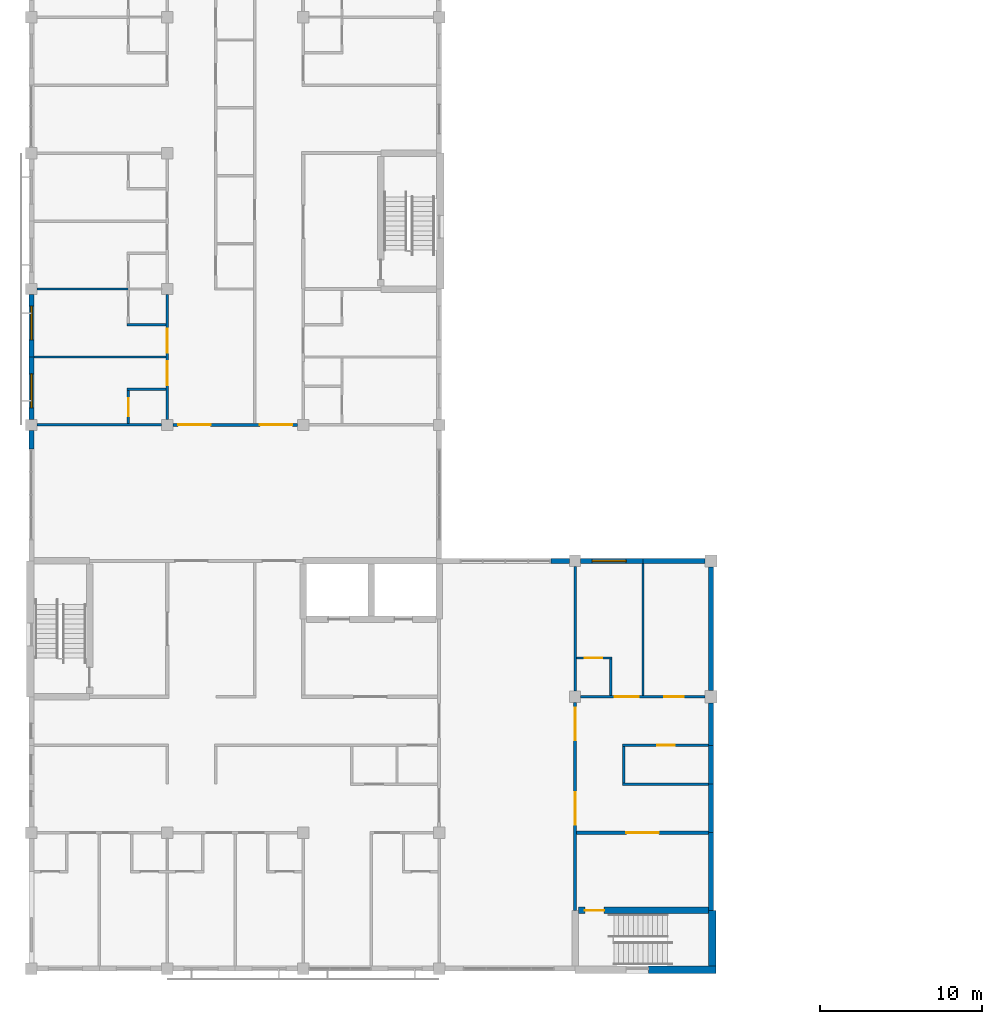
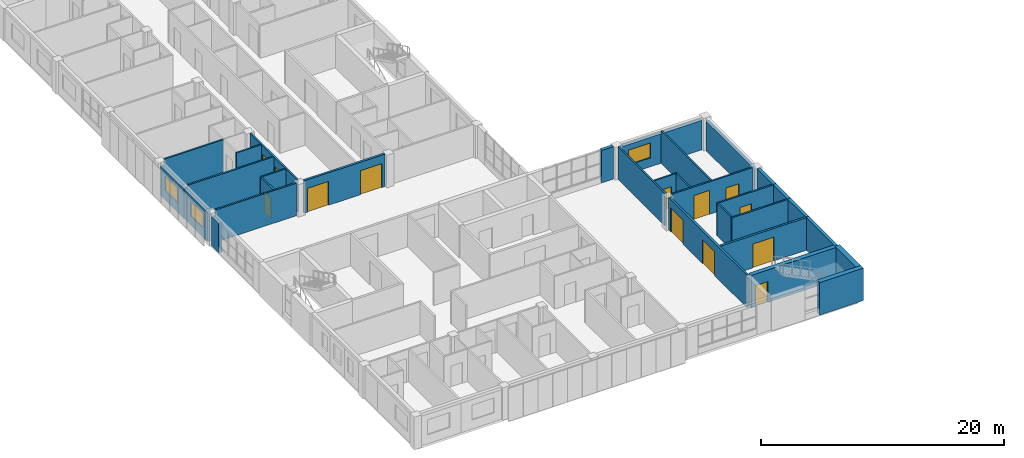
# One storey, part 26 of 46: 32 walls, 13 doors, 3 windows, 16 openings.
"""IFC4 building model written with IfcOpenShell, lengths in metres."""

import ifcopenshell
import ifcopenshell.guid

model = None  # the IFC model being written
_history = None  # IfcOwnerHistory: only IFC2X3 demands one
_inside = {}  # id of a spatial element -> (the spatial element, [elements in it])
_under = {}  # id of a project, library or spatial element -> (it, [spatial elements below it])
_declared = {}  # id of a project -> (the project, [libraries it declares])
_typed = {}  # id of a type object -> (the type object, [elements of that type])
_made_of = {}  # id of a material, layer set ... -> (it, [elements and type objects made of it])


def new_model(schema):
    """Start an empty IFC model of exactly this schema.

    Asked for "IFC4X3", IfcOpenShell would pick the latest addendum, in which some entities
    have other attributes; the version numbers below select the first issue.
    IFC2X3 requires an IfcOwnerHistory on every rooted entity: one is made here for all.
    """
    global model, _history
    if schema == "IFC4X3":
        model = ifcopenshell.file(schema_version=(4, 3, 0, 0))
    else:
        model = ifcopenshell.file(schema=schema)
    _inside.clear()
    _under.clear()
    _declared.clear()
    _typed.clear()
    _made_of.clear()
    _history = None
    if model.schema == "IFC2X3":
        org = make("IfcOrganization", Name="unknown")
        user = make(
            "IfcPersonAndOrganization",
            ThePerson=make("IfcPerson", FamilyName="unknown"),
            TheOrganization=org,
        )
        app = make(
            "IfcApplication",
            ApplicationDeveloper=org,
            Version="unknown",
            ApplicationFullName="unknown",
            ApplicationIdentifier="unknown",
        )
        _history = make(
            "IfcOwnerHistory",
            OwningUser=user,
            OwningApplication=app,
            ChangeAction="ADDED",
            CreationDate=0,
        )
    return model


def make(cls, **values):
    """One entity of the class cls with the attributes given. An attribute that is None is left unset."""
    return model.create_entity(
        cls, **{name: value for name, value in values.items() if value is not None}
    )


def rooted(cls, **values):
    """An entity with a GlobalId (a new one), such as an element, a storey or a relation."""
    return make(cls, GlobalId=ifcopenshell.guid.new(), OwnerHistory=_history, **values)


def si_unit(unit_type, name, prefix=None):
    """IfcSIUnit, for example si_unit("LENGTHUNIT", "METRE", prefix="MILLI")."""
    return make("IfcSIUnit", UnitType=unit_type, Prefix=prefix, Name=name)


def assignment(units):
    """IfcUnitAssignment: the units of a project."""
    return None if units is None else make("IfcUnitAssignment", Units=units)


def point(xyz):
    """IfcCartesianPoint."""
    return None if xyz is None else make("IfcCartesianPoint", Coordinates=xyz)


def direction(xyz):
    """IfcDirection."""
    return None if xyz is None else make("IfcDirection", DirectionRatios=xyz)


def frame(location, z_axis=None, x_axis=None):
    """IfcAxis2Placement3D, a coordinate frame: its origin and axes. An axis left out is left unset."""
    return make(
        "IfcAxis2Placement3D",
        Location=point(location),
        Axis=direction(z_axis),
        RefDirection=direction(x_axis),
    )


def frame_2d(location, x_axis=None):
    """IfcAxis2Placement2D, a coordinate frame in the plane: its origin and x axis."""
    return make(
        "IfcAxis2Placement2D", Location=point(location), RefDirection=direction(x_axis)
    )


def origin():
    """The frame at (0, 0, 0) with its axes left unset."""
    return frame((0.0, 0.0, 0.0))


def place(relative_to, where):
    """IfcLocalPlacement: puts the frame where relative to a parent placement (None: the world)."""
    return make(
        "IfcLocalPlacement", PlacementRelTo=relative_to, RelativePlacement=where
    )


def context(
    kind, dimensions, precision=None, world=None, true_north=None, identifier=None
):
    """IfcGeometricRepresentationContext, for example the 3D "Model" context."""
    return make(
        "IfcGeometricRepresentationContext",
        ContextIdentifier=identifier,
        ContextType=kind,
        CoordinateSpaceDimension=dimensions,
        Precision=precision,
        WorldCoordinateSystem=world,
        TrueNorth=true_north,
    )


def subcontext(parent, identifier, kind, view, scale=None):
    """IfcGeometricRepresentationSubContext, for example "Body" below "Model"."""
    return make(
        "IfcGeometricRepresentationSubContext",
        ContextIdentifier=identifier,
        ContextType=kind,
        ParentContext=parent,
        TargetScale=scale,
        TargetView=view,
    )


def project(units=None, contexts=None):
    """IfcProject with its units and contexts."""
    return rooted(
        "IfcProject",
        Name="project",
        RepresentationContexts=contexts,
        UnitsInContext=assignment(units),
    )


def spatial(cls, under=None, at=None, **own):
    """A site, building, storey or space (cls), placed at a placement, below another one or the project."""
    s = rooted(cls, ObjectPlacement=at, **own)
    if under is not None:
        _under.setdefault(under.id(), (under, []))[1].append(s)
    return s


def profile(cls, at=None, kind="AREA", **sizes):
    """A parametric profile (cls). Its sizes go by their IFC names, for example OverallWidth=200.0."""
    return make(cls, ProfileType=kind, Position=at, **sizes)


def rectangle(**sizes):
    """IfcRectangleProfileDef."""
    return profile("IfcRectangleProfileDef", **sizes)


def extrude(swept, where, along, depth):
    """IfcExtrudedAreaSolid: the profile swept, set in the frame where, extruded along a direction by depth."""
    return make(
        "IfcExtrudedAreaSolid",
        SweptArea=swept,
        Position=where,
        ExtrudedDirection=direction(along),
        Depth=depth,
    )


def shape(context_of_items, identifier, shape_type, items):
    """IfcShapeRepresentation: the items that make up one representation, for example the "Body"."""
    return make(
        "IfcShapeRepresentation",
        ContextOfItems=context_of_items,
        RepresentationIdentifier=identifier,
        RepresentationType=shape_type,
        Items=items,
    )


def material(Name=None, Category=None):
    """IfcMaterial."""
    return make("IfcMaterial", Name=Name, Category=Category)


def layer(
    of_material, thickness, ventilated=None, Name=None, Category=None, Priority=None
):
    """IfcMaterialLayer: one layer of a wall or slab, of a material (None: an air gap)."""
    return make(
        "IfcMaterialLayer",
        Material=of_material,
        LayerThickness=thickness,
        IsVentilated=ventilated,
        Name=Name,
        Category=Category,
        Priority=Priority,
    )


def layer_set(layers, Name=None):
    """IfcMaterialLayerSet."""
    return make("IfcMaterialLayerSet", MaterialLayers=layers, LayerSetName=Name)


def made_of(thing, what):
    """Note that an element or type object is made of a material, layer set ...; save() writes the relation."""
    if what is not None:
        _made_of.setdefault(what.id(), (what, []))[1].append(thing)
    return thing


def type_object(cls, material=None, **own):
    """A type object (cls), such as IfcWallType, which elements share."""
    return made_of(rooted(cls, **own), material)


def element(
    cls,
    number,
    at=None,
    inside=None,
    cuts=None,
    type_object=None,
    material=None,
    context=None,
    identifier="Body",
    shape_type=None,
    held_by="IfcProductDefinitionShape",
    body=None,
    shapes=None,
    **own,
):
    """One element of the class cls, such as IfcWall. Its Tag is "e" and its number.

    at: its placement. inside: the storey or other place that contains it. cuts: it is an
    opening in that element (IfcRelVoidsElement). A single representation is given by context,
    identifier, shape_type and body (its items); several are given by shapes. held_by: the class
    of the entity that holds the representations. save() writes the other relations.
    """
    e = rooted(cls, Tag="e%d" % number, ObjectPlacement=at, **own)
    if body is not None:
        shapes = [shape(context, identifier, shape_type, body)]
    if shapes is not None:
        e.Representation = make(held_by, Representations=shapes)
    if inside is not None:
        _inside.setdefault(inside.id(), (inside, []))[1].append(e)
    if cuts is not None:
        rooted(
            "IfcRelVoidsElement", RelatingBuildingElement=cuts, RelatedOpeningElement=e
        )
    if type_object is not None:
        _typed.setdefault(type_object.id(), (type_object, []))[1].append(e)
    return made_of(e, material)


def fill(opening, filler):
    """IfcRelFillsElement: the door or window that sits in an opening."""
    return rooted(
        "IfcRelFillsElement",
        RelatingOpeningElement=opening,
        RelatedBuildingElement=filler,
    )


def aggregate(whole, parts):
    """IfcRelAggregates: a whole, such as a stair, and the parts it consists of."""
    return rooted("IfcRelAggregates", RelatingObject=whole, RelatedObjects=parts)


def save(model, path):
    """Write the relations noted so far, then the file.

    IfcRelAggregates (storeys below a building ...), IfcRelContainedInSpatialStructure (elements
    in a storey), IfcRelDefinesByType, IfcRelAssociatesMaterial and IfcRelDeclares: one each for
    every whole, place, type object, material and project.
    """
    for whole, parts in _under.values():
        aggregate(whole, parts)
    for where, things in _inside.values():
        rooted(
            "IfcRelContainedInSpatialStructure",
            RelatedElements=things,
            RelatingStructure=where,
        )
    for kind, things in _typed.values():
        rooted("IfcRelDefinesByType", RelatedObjects=things, RelatingType=kind)
    for what, things in _made_of.values():
        rooted("IfcRelAssociatesMaterial", RelatedObjects=things, RelatingMaterial=what)
    for by, libraries in _declared.values():
        rooted("IfcRelDeclares", RelatingContext=by, RelatedDefinitions=libraries)
    model.write(path)


model = new_model("IFC4")

# Units and contexts
model_context = context("Model", 3, precision=1e-05, world=origin(), true_north=direction((0.0, 1.0)))
body_context = subcontext(model_context, "Body", "Model", "MODEL_VIEW")
ifc_project = project(units=[si_unit("LENGTHUNIT", "METRE"), si_unit("AREAUNIT", "SQUARE_METRE"), si_unit("VOLUMEUNIT", "CUBIC_METRE"), si_unit("PLANEANGLEUNIT", "RADIAN"), si_unit("MASSUNIT", "GRAM", prefix="KILO")], contexts=[model_context])

# Site, building, storey
site_placement = place(None, origin())
site = spatial("IfcSite", under=ifc_project, at=site_placement, CompositionType="ELEMENT")
building_placement = place(site_placement, origin())
building = spatial("IfcBuilding", under=site, at=building_placement, Name="Yavir Park General Hospital", CompositionType="ELEMENT")
storey_placement = place(building_placement, frame((0.0, 0.0, 18.89990234375)))
storey = spatial("IfcBuildingStorey", under=building, at=storey_placement, Name="L04", CompositionType="ELEMENT", Elevation=18.89990234375)

# Wall, opening, door
ifc_material_1 = material(Name="Double gypsum board fire partition on steel studs", Category="steel")
ifc_layer_1 = layer(ifc_material_1, 0.199951171875)
ifc_layer_set_1 = layer_set([ifc_layer_1], Name="Double gypsum board fire partition on steel studs")
wall_type_1 = type_object("IfcWallType", Name="Fire-rated partition 200, EI 60", PredefinedType="PARTITIONING", material=ifc_layer_set_1)
wall_1_placement = place(storey_placement, frame((33.699951171875, 8.39990234375, 0.0), z_axis=(0.0, 0.0, 1.0), x_axis=(1.0, 0.0, 0.0)))
wall_1 = element("IfcWall", 1, at=wall_1_placement, inside=storey, type_object=wall_type_1, Name="FP20 L04-017", PredefinedType="PARTITIONING", context=body_context, shape_type="SweptSolid", body=[
    extrude(rectangle(XDim=8.150146484375, YDim=0.199951171875, at=frame_2d((4.0751953125, 0.0))), origin(), (0.0, 0.0, 1.0), 3.260009765625),
])
opening_1_placement = place(wall_1_placement, frame((3.074951171875, 0.0, 0.0)))
opening_1 = element("IfcOpeningElement", 2, at=opening_1_placement, cuts=wall_1, Name="Opening L04.D022", PredefinedType="OPENING", context=body_context, shape_type="SweptSolid", body=[
    extrude(rectangle(XDim=2.0, YDim=2.39990234375, at=frame_2d((1.0, 1.199951171875))), frame((0.0, 0.10986328125, 0.0), z_axis=(0.0, -1.0, 0.0), x_axis=(1.0, 0.0, 0.0)), (0.0, 0.0, 1.0), 0.219970703125),
])
ifc_material_2 = material(Name="Steel frame, fire-resisting leaves with vision panels", Category="steel")
door_type_1 = type_object("IfcDoorType", Name="Double fire door with vision panels 2000 x 2400, EI 60", OperationType="DOUBLE_DOOR_SINGLE_SWING", PredefinedType="DOOR", material=ifc_material_2)
door_1_placement = place(opening_1_placement, origin())
door_1 = element("IfcDoor", 3, at=door_1_placement, inside=storey, type_object=door_type_1, Name="L04.D022", OperationType="SINGLE_SWING_RIGHT", OverallHeight=2.39990234375, OverallWidth=2.0, PredefinedType="DOOR", context=body_context, shape_type="SweptSolid", body=[
    extrude(rectangle(XDim=2.0, YDim=2.39990234375, at=frame_2d((1.0, 1.199951171875))), frame((0.0, 0.030029296875, 0.0), z_axis=(0.0, -1.0, 0.0), x_axis=(1.0, 0.0, 0.0)), (0.0, 0.0, 1.0), 0.06005859375),
])
fill(opening_1, door_1)

# Wall, openings, doors
wall_2_placement = place(storey_placement, frame((8.75, 33.60009765625, 0.0), z_axis=(0.0, 0.0, 1.0), x_axis=(1.0, 0.0, 0.0)))
wall_2 = element("IfcWall", 4, at=wall_2_placement, inside=storey, type_object=wall_type_1, Name="FP20 L04-057", PredefinedType="PARTITIONING", context=body_context, shape_type="SweptSolid", body=[
    extrude(rectangle(XDim=7.699951171875, YDim=0.199951171875, at=frame_2d((3.85009765625, 0.0))), origin(), (0.0, 0.0, 1.0), 3.260009765625),
])
opening_2_placement = place(wall_2_placement, frame((0.324951171875, 0.0, 0.0)))
opening_2 = element("IfcOpeningElement", 5, at=opening_2_placement, cuts=wall_2, Name="Opening L04.D063", PredefinedType="OPENING", context=body_context, shape_type="SweptSolid", body=[
    extrude(rectangle(XDim=2.0, YDim=2.39990234375, at=frame_2d((1.0, 1.199951171875))), frame((0.0, 0.10986328125, 0.0), z_axis=(0.0, -1.0, 0.0), x_axis=(1.0, 0.0, 0.0)), (0.0, 0.0, 1.0), 0.219970703125),
])
opening_3_placement = place(wall_2_placement, frame((5.375, 0.0, 0.0)))
opening_3 = element("IfcOpeningElement", 6, at=opening_3_placement, cuts=wall_2, Name="Opening L04.D064", PredefinedType="OPENING", context=body_context, shape_type="SweptSolid", body=[
    extrude(rectangle(XDim=2.0, YDim=2.39990234375, at=frame_2d((1.0, 1.199951171875))), frame((0.0, 0.10986328125, 0.0), z_axis=(0.0, -1.0, 0.0), x_axis=(1.0, 0.0, 0.0)), (0.0, 0.0, 1.0), 0.219970703125),
])
door_2_placement = place(opening_2_placement, origin())
door_2 = element("IfcDoor", 7, at=door_2_placement, inside=storey, type_object=door_type_1, Name="L04.D063", OperationType="SINGLE_SWING_LEFT", OverallHeight=2.39990234375, OverallWidth=2.0, PredefinedType="DOOR", context=body_context, shape_type="SweptSolid", body=[
    extrude(rectangle(XDim=2.0, YDim=2.39990234375, at=frame_2d((1.0, 1.199951171875))), frame((0.0, 0.030029296875, 0.0), z_axis=(0.0, -1.0, 0.0), x_axis=(1.0, 0.0, 0.0)), (0.0, 0.0, 1.0), 0.06005859375),
])
fill(opening_2, door_2)
door_3_placement = place(opening_3_placement, origin())
door_3 = element("IfcDoor", 8, at=door_3_placement, inside=storey, type_object=door_type_1, Name="L04.D064", OperationType="SINGLE_SWING_RIGHT", OverallHeight=2.39990234375, OverallWidth=2.0, PredefinedType="DOOR", context=body_context, shape_type="SweptSolid", body=[
    extrude(rectangle(XDim=2.0, YDim=2.39990234375, at=frame_2d((1.0, 1.199951171875))), frame((0.0, 0.030029296875, 0.0), z_axis=(0.0, -1.0, 0.0), x_axis=(1.0, 0.0, 0.0)), (0.0, 0.0, 1.0), 0.06005859375),
])
fill(opening_3, door_3)

wall_3_placement = place(storey_placement, frame((33.60009765625, 3.60009765625, 0.0), z_axis=(0.0, 0.0, 1.0), x_axis=(0.0, 1.0, 0.0)))
wall_3 = element("IfcWall", 9, at=wall_3_placement, inside=storey, type_object=wall_type_1, Name="FP20 L04-220", PredefinedType="PARTITIONING", context=body_context, shape_type="SweptSolid", body=[
    extrude(rectangle(XDim=12.849853515625, YDim=0.199951171875, at=frame_2d((6.4248046875, 0.0))), origin(), (0.0, 0.0, 1.0), 3.260009765625),
])
opening_4_placement = place(wall_3_placement, frame((5.300048828125, 0.0, 0.0)))
opening_4 = element("IfcOpeningElement", 10, at=opening_4_placement, cuts=wall_3, Name="Opening L04.D142", PredefinedType="OPENING", context=body_context, shape_type="SweptSolid", body=[
    extrude(rectangle(XDim=2.0, YDim=2.39990234375, at=frame_2d((1.0, 1.199951171875))), frame((0.0, 0.10986328125, 0.0), z_axis=(0.0, -1.0, 0.0), x_axis=(1.0, 0.0, 0.0)), (0.0, 0.0, 1.0), 0.219970703125),
])
opening_5_placement = place(wall_3_placement, frame((10.52490234375, 0.0, 0.0)))
opening_5 = element("IfcOpeningElement", 11, at=opening_5_placement, cuts=wall_3, Name="Opening L04.D143", PredefinedType="OPENING", context=body_context, shape_type="SweptSolid", body=[
    extrude(rectangle(XDim=2.0, YDim=2.39990234375, at=frame_2d((1.0, 1.199951171875))), frame((0.0, 0.10986328125, 0.0), z_axis=(0.0, -1.0, 0.0), x_axis=(1.0, 0.0, 0.0)), (0.0, 0.0, 1.0), 0.219970703125),
])
door_4_placement = place(opening_4_placement, origin())
door_4 = element("IfcDoor", 12, at=door_4_placement, inside=storey, type_object=door_type_1, Name="L04.D142", OperationType="SINGLE_SWING_LEFT", OverallHeight=2.39990234375, OverallWidth=2.0, PredefinedType="DOOR", context=body_context, shape_type="SweptSolid", body=[
    extrude(rectangle(XDim=2.0, YDim=2.39990234375, at=frame_2d((1.0, 1.199951171875))), frame((0.0, 0.030029296875, 0.0), z_axis=(0.0, -1.0, 0.0), x_axis=(1.0, 0.0, 0.0)), (0.0, 0.0, 1.0), 0.06005859375),
])
fill(opening_4, door_4)
door_5_placement = place(opening_5_placement, origin())
door_5 = element("IfcDoor", 13, at=door_5_placement, inside=storey, type_object=door_type_1, Name="L04.D143", OperationType="SINGLE_SWING_LEFT", OverallHeight=2.39990234375, OverallWidth=2.0, PredefinedType="DOOR", context=body_context, shape_type="SweptSolid", body=[
    extrude(rectangle(XDim=2.0, YDim=2.39990234375, at=frame_2d((1.0, 1.199951171875))), frame((0.0, 0.030029296875, 0.0), z_axis=(0.0, -1.0, 0.0), x_axis=(1.0, 0.0, 0.0)), (0.0, 0.0, 1.0), 0.06005859375),
])
fill(opening_5, door_5)

# Wall
ifc_material_3 = material(Name="Gypsum board partition on steel studs", Category="steel")
ifc_layer_2 = layer(ifc_material_3, 0.14990234375)
ifc_layer_set_2 = layer_set([ifc_layer_2], Name="Gypsum board partition on steel studs")
wall_type_2 = type_object("IfcWallType", Name="Gypsum board partition 150", PredefinedType="PARTITIONING", material=ifc_layer_set_2)
wall_4_placement = place(storey_placement, frame((36.52490234375, 11.39990234375, 0.0), z_axis=(0.0, 0.0, 1.0), x_axis=(1.0, 0.0, 0.0)))
element("IfcWall", 14, at=wall_4_placement, inside=storey, type_object=wall_type_2, Name="P15 L04-025", PredefinedType="PARTITIONING", context=body_context, shape_type="SweptSolid", body=[
    extrude(rectangle(XDim=5.3251953125, YDim=0.14990234375, at=frame_2d((2.66259765625, 0.0))), origin(), (0.0, 0.0, 1.0), 3.260009765625),
])

# Wall, opening, door
wall_5_placement = place(storey_placement, frame((36.52490234375, 13.800048828125, 0.0), z_axis=(0.0, 0.0, 1.0), x_axis=(1.0, 0.0, 0.0)))
wall_5 = element("IfcWall", 15, at=wall_5_placement, inside=storey, type_object=wall_type_2, Name="P15 L04-030", PredefinedType="PARTITIONING", context=body_context, shape_type="SweptSolid", body=[
    extrude(rectangle(XDim=5.3251953125, YDim=0.14990234375, at=frame_2d((2.66259765625, 0.0))), origin(), (0.0, 0.0, 1.0), 3.260009765625),
])
opening_6_placement = place(wall_5_placement, frame((2.14990234375, 0.0, 0.0)))
opening_6 = element("IfcOpeningElement", 16, at=opening_6_placement, cuts=wall_5, Name="Opening L04.D035", PredefinedType="OPENING", context=body_context, shape_type="SweptSolid", body=[
    extrude(rectangle(XDim=1.10009765625, YDim=2.10009765625, at=frame_2d((0.550048828125, 1.050048828125))), frame((0.0, 0.0849609375, 0.0), z_axis=(0.0, -1.0, 0.0), x_axis=(1.0, 0.0, 0.0)), (0.0, 0.0, 1.0), 0.169921875),
])
ifc_material_4 = material(Name="Hollow metal frame, solid-core timber leaf", Category="wood")
door_type_2 = type_object("IfcDoorType", Name="Single swing door 1100 x 2100", OperationType="SINGLE_SWING_LEFT", PredefinedType="DOOR", material=ifc_material_4)
door_6_placement = place(opening_6_placement, origin())
door_6 = element("IfcDoor", 17, at=door_6_placement, inside=storey, type_object=door_type_2, Name="L04.D035", OperationType="SINGLE_SWING_LEFT", OverallHeight=2.10009765625, OverallWidth=1.10009765625, PredefinedType="DOOR", context=body_context, shape_type="SweptSolid", body=[
    extrude(rectangle(XDim=1.10009765625, YDim=2.10009765625, at=frame_2d((0.550048828125, 1.050048828125))), frame((0.0, 0.02490234375, 0.0), z_axis=(0.0, -1.0, 0.0), x_axis=(1.0, 0.0, 0.0)), (0.0, 0.0, 1.0), 0.050048828125),
])
fill(opening_6, door_6)

# Wall, openings, doors
wall_6_placement = place(storey_placement, frame((33.949951171875, 16.800048828125, 0.0), z_axis=(0.0, 0.0, 1.0), x_axis=(1.0, 0.0, 0.0)))
wall_6 = element("IfcWall", 18, at=wall_6_placement, inside=storey, type_object=wall_type_2, Name="P15 L04-040", PredefinedType="PARTITIONING", context=body_context, shape_type="SweptSolid", body=[
    extrude(rectangle(XDim=7.675048828125, YDim=0.14990234375, at=frame_2d((3.83740234375, 0.0))), origin(), (0.0, 0.0, 1.0), 3.260009765625),
])
opening_7_placement = place(wall_6_placement, frame((2.10009765625, 0.0, 0.0)))
opening_7 = element("IfcOpeningElement", 19, at=opening_7_placement, cuts=wall_6, Name="Opening L04.D039", PredefinedType="OPENING", context=body_context, shape_type="SweptSolid", body=[
    extrude(rectangle(XDim=1.5, YDim=2.39990234375, at=frame_2d((0.75, 1.199951171875))), frame((0.0, 0.0849609375, 0.0), z_axis=(0.0, -1.0, 0.0), x_axis=(1.0, 0.0, 0.0)), (0.0, 0.0, 1.0), 0.169921875),
])
opening_8_placement = place(wall_6_placement, frame((5.16259765625, 0.0, 0.0)))
opening_8 = element("IfcOpeningElement", 20, at=opening_8_placement, cuts=wall_6, Name="Opening L04.D040", PredefinedType="OPENING", context=body_context, shape_type="SweptSolid", body=[
    extrude(rectangle(XDim=1.199951171875, YDim=2.10009765625, at=frame_2d((0.60009765625, 1.050048828125))), frame((0.0, 0.0849609375, 0.0), z_axis=(0.0, -1.0, 0.0), x_axis=(1.0, 0.0, 0.0)), (0.0, 0.0, 1.0), 0.169921875),
])
ifc_material_5 = material(Name="Solid-core timber leaves, push plates, kick plates", Category="wood")
door_type_3 = type_object("IfcDoorType", Name="Bed door, unequal leaves 1500 x 2400", OperationType="DOUBLE_DOOR_SINGLE_SWING", PredefinedType="DOOR", material=ifc_material_5)
door_7_placement = place(opening_7_placement, origin())
door_7 = element("IfcDoor", 21, at=door_7_placement, inside=storey, type_object=door_type_3, Name="L04.D039", OperationType="SINGLE_SWING_RIGHT", OverallHeight=2.39990234375, OverallWidth=1.5, PredefinedType="DOOR", context=body_context, shape_type="SweptSolid", body=[
    extrude(rectangle(XDim=1.5, YDim=2.39990234375, at=frame_2d((0.75, 1.199951171875))), frame((0.0, 0.030029296875, 0.0), z_axis=(0.0, -1.0, 0.0), x_axis=(1.0, 0.0, 0.0)), (0.0, 0.0, 1.0), 0.06005859375),
])
fill(opening_7, door_7)
ifc_material_6 = material(Name="Hollow metal frame, solid-core timber leaf", Category="wood")
door_type_4 = type_object("IfcDoorType", Name="Single swing door 1200 x 2100", OperationType="SINGLE_SWING_LEFT", PredefinedType="DOOR", material=ifc_material_6)
door_8_placement = place(opening_8_placement, origin())
door_8 = element("IfcDoor", 22, at=door_8_placement, inside=storey, type_object=door_type_4, Name="L04.D040", OperationType="SINGLE_SWING_RIGHT", OverallHeight=2.10009765625, OverallWidth=1.199951171875, PredefinedType="DOOR", context=body_context, shape_type="SweptSolid", body=[
    extrude(rectangle(XDim=1.199951171875, YDim=2.10009765625, at=frame_2d((0.60009765625, 1.050048828125))), frame((0.0, 0.02490234375, 0.0), z_axis=(0.0, -1.0, 0.0), x_axis=(1.0, 0.0, 0.0)), (0.0, 0.0, 1.0), 0.050048828125),
])
fill(opening_8, door_8)

# Wall, opening, door
wall_7_placement = place(storey_placement, frame((33.675048828125, 19.199951171875, 0.0), z_axis=(0.0, 0.0, 1.0), x_axis=(1.0, 0.0, 0.0)))
wall_7 = element("IfcWall", 23, at=wall_7_placement, inside=storey, type_object=wall_type_2, Name="P15 L04-047", PredefinedType="PARTITIONING", context=body_context, shape_type="SweptSolid", body=[
    extrude(rectangle(XDim=2.199951171875, YDim=0.14990234375, at=frame_2d((1.10009765625, 0.0))), origin(), (0.0, 0.0, 1.0), 3.260009765625),
])
opening_9_placement = place(wall_7_placement, frame((0.512451171875, 0.0, 0.0)))
opening_9 = element("IfcOpeningElement", 24, at=opening_9_placement, cuts=wall_7, Name="Opening L04.D049", PredefinedType="OPENING", context=body_context, shape_type="SweptSolid", body=[
    extrude(rectangle(XDim=1.10009765625, YDim=2.10009765625, at=frame_2d((0.550048828125, 1.050048828125))), frame((0.0, 0.0849609375, 0.0), z_axis=(0.0, -1.0, 0.0), x_axis=(1.0, 0.0, 0.0)), (0.0, 0.0, 1.0), 0.169921875),
])
door_9_placement = place(opening_9_placement, origin())
door_9 = element("IfcDoor", 25, at=door_9_placement, inside=storey, type_object=door_type_2, Name="L04.D049", OperationType="SINGLE_SWING_RIGHT", OverallHeight=2.10009765625, OverallWidth=1.10009765625, PredefinedType="DOOR", context=body_context, shape_type="SweptSolid", body=[
    extrude(rectangle(XDim=1.10009765625, YDim=2.10009765625, at=frame_2d((0.550048828125, 1.050048828125))), frame((0.0, 0.02490234375, 0.0), z_axis=(0.0, -1.0, 0.0), x_axis=(1.0, 0.0, 0.0)), (0.0, 0.0, 1.0), 0.050048828125),
])
fill(opening_9, door_9)

# Walls
wall_8_placement = place(storey_placement, frame((0.35009765625, 33.60009765625, 0.0), z_axis=(0.0, 0.0, 1.0), x_axis=(1.0, 0.0, 0.0)))
element("IfcWall", 26, at=wall_8_placement, inside=storey, type_object=wall_type_2, Name="P15 L04-056", PredefinedType="PARTITIONING", context=body_context, shape_type="SweptSolid", body=[
    extrude(rectangle(XDim=7.699951171875, YDim=0.14990234375, at=frame_2d((3.85009765625, 0.0))), origin(), (0.0, 0.0, 1.0), 3.260009765625),
])
wall_9_placement = place(storey_placement, frame((5.925048828125, 35.800048828125, 0.0), z_axis=(0.0, 0.0, 1.0), x_axis=(1.0, 0.0, 0.0)))
element("IfcWall", 27, at=wall_9_placement, inside=storey, type_object=wall_type_2, Name="P15 L04-059", PredefinedType="PARTITIONING", context=body_context, shape_type="SweptSolid", body=[
    extrude(rectangle(XDim=2.39990234375, YDim=0.14990234375, at=frame_2d((1.199951171875, 0.0))), origin(), (0.0, 0.0, 1.0), 3.260009765625),
])
wall_10_placement = place(storey_placement, frame((0.14990234375, 37.800048828125, 0.0), z_axis=(0.0, 0.0, 1.0), x_axis=(1.0, 0.0, 0.0)))
element("IfcWall", 28, at=wall_10_placement, inside=storey, type_object=wall_type_2, Name="P15 L04-061", PredefinedType="PARTITIONING", context=body_context, shape_type="SweptSolid", body=[
    extrude(rectangle(XDim=8.175048828125, YDim=0.14990234375, at=frame_2d((4.08740234375, 0.0))), origin(), (0.0, 0.0, 1.0), 3.260009765625),
])
wall_11_placement = place(storey_placement, frame((5.925048828125, 39.800048828125, 0.0), z_axis=(0.0, 0.0, 1.0), x_axis=(1.0, 0.0, 0.0)))
element("IfcWall", 29, at=wall_11_placement, inside=storey, type_object=wall_type_2, Name="P15 L04-063", PredefinedType="PARTITIONING", context=body_context, shape_type="SweptSolid", body=[
    extrude(rectangle(XDim=2.39990234375, YDim=0.14990234375, at=frame_2d((1.199951171875, 0.0))), origin(), (0.0, 0.0, 1.0), 3.260009765625),
])
wall_12_placement = place(storey_placement, frame((0.35009765625, 42.0, 0.0), z_axis=(0.0, 0.0, 1.0), x_axis=(1.0, 0.0, 0.0)))
element("IfcWall", 30, at=wall_12_placement, inside=storey, type_object=wall_type_2, Name="P15 L04-065", PredefinedType="PARTITIONING", context=body_context, shape_type="SweptSolid", body=[
    extrude(rectangle(XDim=5.64990234375, YDim=0.14990234375, at=frame_2d((2.824951171875, 0.0))), origin(), (0.0, 0.0, 1.0), 3.260009765625),
])

# Wall, opening, door
wall_13_placement = place(storey_placement, frame((6.0, 33.675048828125, 0.0), z_axis=(0.0, 0.0, 1.0), x_axis=(0.0, 1.0, 0.0)))
wall_13 = element("IfcWall", 31, at=wall_13_placement, inside=storey, type_object=wall_type_2, Name="P15 L04-147", PredefinedType="PARTITIONING", context=body_context, shape_type="SweptSolid", body=[
    extrude(rectangle(XDim=2.050048828125, YDim=0.14990234375, at=frame_2d((1.02490234375, 0.0))), origin(), (0.0, 0.0, 1.0), 3.260009765625),
])
opening_10_placement = place(wall_13_placement, frame((0.47509765625, 0.0, 0.0)))
opening_10 = element("IfcOpeningElement", 32, at=opening_10_placement, cuts=wall_13, Name="Opening L04.D076", PredefinedType="OPENING", context=body_context, shape_type="SweptSolid", body=[
    extrude(rectangle(XDim=1.10009765625, YDim=2.10009765625, at=frame_2d((0.550048828125, 1.050048828125))), frame((0.0, 0.0849609375, 0.0), z_axis=(0.0, -1.0, 0.0), x_axis=(1.0, 0.0, 0.0)), (0.0, 0.0, 1.0), 0.169921875),
])
door_10_placement = place(opening_10_placement, origin())
door_10 = element("IfcDoor", 33, at=door_10_placement, inside=storey, type_object=door_type_2, Name="L04.D076", OperationType="SINGLE_SWING_RIGHT", OverallHeight=2.10009765625, OverallWidth=1.10009765625, PredefinedType="DOOR", context=body_context, shape_type="SweptSolid", body=[
    extrude(rectangle(XDim=1.10009765625, YDim=2.10009765625, at=frame_2d((0.550048828125, 1.050048828125))), frame((0.0, 0.02490234375, 0.0), z_axis=(0.0, -1.0, 0.0), x_axis=(1.0, 0.0, 0.0)), (0.0, 0.0, 1.0), 0.050048828125),
])
fill(opening_10, door_10)

# Wall, openings, doors
wall_14_placement = place(storey_placement, frame((8.39990234375, 33.949951171875, 0.0), z_axis=(0.0, 0.0, 1.0), x_axis=(0.0, 1.0, 0.0)))
wall_14 = element("IfcWall", 34, at=wall_14_placement, inside=storey, type_object=wall_type_2, Name="P15 L04-166", PredefinedType="PARTITIONING", context=body_context, shape_type="SweptSolid", body=[
    extrude(rectangle(XDim=7.699951171875, YDim=0.14990234375, at=frame_2d((3.85009765625, 0.0))), origin(), (0.0, 0.0, 1.0), 3.260009765625),
])
opening_11_placement = place(wall_14_placement, frame((2.10009765625, 0.0, 0.0)))
opening_11 = element("IfcOpeningElement", 35, at=opening_11_placement, cuts=wall_14, Name="Opening L04.D089", PredefinedType="OPENING", context=body_context, shape_type="SweptSolid", body=[
    extrude(rectangle(XDim=1.5, YDim=2.39990234375, at=frame_2d((0.75, 1.199951171875))), frame((0.0, 0.0849609375, 0.0), z_axis=(0.0, -1.0, 0.0), x_axis=(1.0, 0.0, 0.0)), (0.0, 0.0, 1.0), 0.169921875),
])
opening_12_placement = place(wall_14_placement, frame((4.10009765625, 0.0, 0.0)))
opening_12 = element("IfcOpeningElement", 36, at=opening_12_placement, cuts=wall_14, Name="Opening L04.D090", PredefinedType="OPENING", context=body_context, shape_type="SweptSolid", body=[
    extrude(rectangle(XDim=1.5, YDim=2.39990234375, at=frame_2d((0.75, 1.199951171875))), frame((0.0, 0.0849609375, 0.0), z_axis=(0.0, -1.0, 0.0), x_axis=(1.0, 0.0, 0.0)), (0.0, 0.0, 1.0), 0.169921875),
])
door_11_placement = place(opening_11_placement, origin())
door_11 = element("IfcDoor", 37, at=door_11_placement, inside=storey, type_object=door_type_3, Name="L04.D089", OperationType="SINGLE_SWING_RIGHT", OverallHeight=2.39990234375, OverallWidth=1.5, PredefinedType="DOOR", context=body_context, shape_type="SweptSolid", body=[
    extrude(rectangle(XDim=1.5, YDim=2.39990234375, at=frame_2d((0.75, 1.199951171875))), frame((0.0, 0.030029296875, 0.0), z_axis=(0.0, -1.0, 0.0), x_axis=(1.0, 0.0, 0.0)), (0.0, 0.0, 1.0), 0.06005859375),
])
fill(opening_11, door_11)
door_12_placement = place(opening_12_placement, origin())
door_12 = element("IfcDoor", 38, at=door_12_placement, inside=storey, type_object=door_type_3, Name="L04.D090", OperationType="SINGLE_SWING_RIGHT", OverallHeight=2.39990234375, OverallWidth=1.5, PredefinedType="DOOR", context=body_context, shape_type="SweptSolid", body=[
    extrude(rectangle(XDim=1.5, YDim=2.39990234375, at=frame_2d((0.75, 1.199951171875))), frame((0.0, 0.030029296875, 0.0), z_axis=(0.0, -1.0, 0.0), x_axis=(1.0, 0.0, 0.0)), (0.0, 0.0, 1.0), 0.06005859375),
])
fill(opening_12, door_12)

# Walls
wall_15_placement = place(storey_placement, frame((33.60009765625, 17.14990234375, 0.0), z_axis=(0.0, 0.0, 1.0), x_axis=(0.0, 1.0, 0.0)))
element("IfcWall", 39, at=wall_15_placement, inside=storey, type_object=wall_type_2, Name="P15 L04-221", PredefinedType="PARTITIONING", context=body_context, shape_type="SweptSolid", body=[
    extrude(rectangle(XDim=7.7001953125, YDim=0.14990234375, at=frame_2d((3.85009765625, 0.0))), origin(), (0.0, 0.0, 1.0), 3.260009765625),
])
for number, where, z_axis, x_axis, name in (
    (40, (35.800048828125, 16.875, 0.0), (0.0, 0.0, 1.0), (0.0, 1.0, 0.0), "P15 L04-222"),
    (41, (36.60009765625, 11.47509765625, 0.0), (0.0, 0.0, 1.0), (0.0, 1.0, 0.0), "P15 L04-223"),
):
    element("IfcWall", number, at=place(storey_placement, frame(where, z_axis=z_axis, x_axis=x_axis)), inside=storey, type_object=wall_type_2, Name=name, PredefinedType="PARTITIONING", context=body_context, shape_type="SweptSolid", body=[
        extrude(rectangle(XDim=2.25, YDim=0.14990234375, at=frame_2d((1.125, 0.0))), origin(), (0.0, 0.0, 1.0), 3.260009765625),
    ])
wall_16_placement = place(storey_placement, frame((37.800048828125, 16.875, 0.0), z_axis=(0.0, 0.0, 1.0), x_axis=(0.0, 1.0, 0.0)))
element("IfcWall", 42, at=wall_16_placement, inside=storey, type_object=wall_type_2, Name="P15 L04-224", PredefinedType="PARTITIONING", context=body_context, shape_type="SweptSolid", body=[
    extrude(rectangle(XDim=8.175048828125, YDim=0.14990234375, at=frame_2d((4.08740234375, 0.0))), origin(), (0.0, 0.0, 1.0), 3.260009765625),
])
ifc_material_7 = material(Name="Autoclaved aerated block, mineral wool and ochre mineral render")
ifc_layer_3 = layer(ifc_material_7, 0.300048828125)
ifc_layer_set_3 = layer_set([ifc_layer_3], Name="Autoclaved aerated block, mineral wool and ochre mineral render")
wall_type_3 = type_object("IfcWallType", Name="Ochre render ward wall 300, E 30", PredefinedType="SOLIDWALL", material=ifc_layer_set_3)
wall_17_placement = place(storey_placement, frame((32.10009765625, 25.199951171875, 0.0), z_axis=(0.0, 0.0, 1.0), x_axis=(1.0, 0.0, 0.0)))
element("IfcWall", 43, at=wall_17_placement, inside=storey, type_object=wall_type_3, Name="XW7 L04-034", PredefinedType="SOLIDWALL", context=body_context, shape_type="SweptSolid", body=[
    extrude(rectangle(XDim=1.14990234375, YDim=0.300048828125, at=frame_2d((0.574951171875, 0.0))), origin(), (0.0, 0.0, 1.0), 3.260009765625),
])

# Wall, opening, window
wall_18_placement = place(storey_placement, frame((33.949951171875, 25.199951171875, 0.0), z_axis=(0.0, 0.0, 1.0), x_axis=(1.0, 0.0, 0.0)))
wall_18 = element("IfcWall", 44, at=wall_18_placement, inside=storey, type_object=wall_type_3, Name="XW7 L04-036", PredefinedType="SOLIDWALL", context=body_context, shape_type="SweptSolid", body=[
    extrude(rectangle(XDim=3.85009765625, YDim=0.300048828125, at=frame_2d((1.925048828125, 0.0))), origin(), (0.0, 0.0, 1.0), 2.960205078125),
])
opening_13_placement = place(wall_18_placement, frame((0.699951171875, 0.0, 0.89990234375)))
opening_13 = element("IfcOpeningElement", 45, at=opening_13_placement, cuts=wall_18, Name="Opening WAR", PredefinedType="OPENING", context=body_context, shape_type="SweptSolid", body=[
    extrude(rectangle(XDim=2.10009765625, YDim=1.5, at=frame_2d((1.050048828125, 0.75))), frame((0.0, 0.159912109375, 0.0), z_axis=(0.0, -1.0, 0.0), x_axis=(1.0, 0.0, 0.0)), (0.0, 0.0, 1.0), 0.320068359375),
])
ifc_material_8 = material(Name="Aluminium frame, tilt-and-turn sash with opening restrictor, double glazed unit", Category="aluminium")
window_type = type_object("IfcWindowType", Name="Ward window, restricted opening 2100 x 1500", PartitioningType="DOUBLE_PANEL_VERTICAL", PredefinedType="WINDOW", material=ifc_material_8)
window_1_placement = place(opening_13_placement, origin())
window_1 = element("IfcWindow", 46, at=window_1_placement, inside=storey, type_object=window_type, Name="WAR L04-013", OverallHeight=1.5, OverallWidth=2.10009765625, PartitioningType="DOUBLE_PANEL_VERTICAL", PredefinedType="WINDOW", context=body_context, shape_type="SweptSolid", body=[
    extrude(rectangle(XDim=2.10009765625, YDim=1.5, at=frame_2d((1.050048828125, 0.75))), frame((0.0, 0.050048828125, 0.0), z_axis=(0.0, -1.0, 0.0), x_axis=(1.0, 0.0, 0.0)), (0.0, 0.0, 1.0), 0.10009765625),
])
fill(opening_13, window_1)

# Walls
wall_19_placement = place(storey_placement, frame((37.800048828125, 25.199951171875, 0.0), z_axis=(0.0, 0.0, 1.0), x_axis=(1.0, 0.0, 0.0)))
element("IfcWall", 47, at=wall_19_placement, inside=storey, type_object=wall_type_3, Name="XW7 L04-037", PredefinedType="SOLIDWALL", context=body_context, shape_type="SweptSolid", body=[
    extrude(rectangle(XDim=3.824951171875, YDim=0.300048828125, at=frame_2d((1.91259765625, 0.0))), origin(), (0.0, 0.0, 1.0), 2.960205078125),
])
wall_20_placement = place(storey_placement, frame((0.0, 32.10009765625, 0.0), z_axis=(0.0, 0.0, 1.0), x_axis=(0.0, 1.0, 0.0)))
element("IfcWall", 48, at=wall_20_placement, inside=storey, type_object=wall_type_3, Name="XW7 L04-079", PredefinedType="SOLIDWALL", context=body_context, shape_type="SweptSolid", body=[
    extrude(rectangle(XDim=1.14990234375, YDim=0.300048828125, at=frame_2d((0.574951171875, 0.0))), origin(), (0.0, 0.0, 1.0), 2.960205078125),
])

# Wall, opening, window
wall_21_placement = place(storey_placement, frame((0.0, 33.949951171875, 0.0), z_axis=(0.0, 0.0, 1.0), x_axis=(0.0, 1.0, 0.0)))
wall_21 = element("IfcWall", 49, at=wall_21_placement, inside=storey, type_object=wall_type_3, Name="XW7 L04-081", PredefinedType="SOLIDWALL", context=body_context, shape_type="SweptSolid", body=[
    extrude(rectangle(XDim=3.85009765625, YDim=0.300048828125, at=frame_2d((1.925048828125, 0.0))), origin(), (0.0, 0.0, 1.0), 2.960205078125),
])
opening_14_placement = place(wall_21_placement, frame((0.699951171875, 0.0, 0.89990234375)))
opening_14 = element("IfcOpeningElement", 50, at=opening_14_placement, cuts=wall_21, Name="Opening WAR", PredefinedType="OPENING", context=body_context, shape_type="SweptSolid", body=[
    extrude(rectangle(XDim=2.10009765625, YDim=1.5, at=frame_2d((1.050048828125, 0.75))), frame((0.0, 0.159912109375, 0.0), z_axis=(0.0, -1.0, 0.0), x_axis=(1.0, 0.0, 0.0)), (0.0, 0.0, 1.0), 0.320068359375),
])
window_2_placement = place(opening_14_placement, origin())
window_2 = element("IfcWindow", 51, at=window_2_placement, inside=storey, type_object=window_type, Name="WAR L04-026", OverallHeight=1.5, OverallWidth=2.10009765625, PartitioningType="DOUBLE_PANEL_VERTICAL", PredefinedType="WINDOW", context=body_context, shape_type="SweptSolid", body=[
    extrude(rectangle(XDim=2.10009765625, YDim=1.5, at=frame_2d((1.050048828125, 0.75))), frame((0.0, 0.050048828125, 0.0), z_axis=(0.0, -1.0, 0.0), x_axis=(1.0, 0.0, 0.0)), (0.0, 0.0, 1.0), 0.10009765625),
])
fill(opening_14, window_2)

wall_22_placement = place(storey_placement, frame((0.0, 37.800048828125, 0.0), z_axis=(0.0, 0.0, 1.0), x_axis=(0.0, 1.0, 0.0)))
wall_22 = element("IfcWall", 52, at=wall_22_placement, inside=storey, type_object=wall_type_3, Name="XW7 L04-082", PredefinedType="SOLIDWALL", context=body_context, shape_type="SweptSolid", body=[
    extrude(rectangle(XDim=3.849853515625, YDim=0.300048828125, at=frame_2d((1.9248046875, 0.0))), origin(), (0.0, 0.0, 1.0), 2.960205078125),
])
opening_15_placement = place(wall_22_placement, frame((1.050048828125, 0.0, 0.89990234375)))
opening_15 = element("IfcOpeningElement", 53, at=opening_15_placement, cuts=wall_22, Name="Opening WAR", PredefinedType="OPENING", context=body_context, shape_type="SweptSolid", body=[
    extrude(rectangle(XDim=2.10009765625, YDim=1.5, at=frame_2d((1.050048828125, 0.75))), frame((0.0, 0.159912109375, 0.0), z_axis=(0.0, -1.0, 0.0), x_axis=(1.0, 0.0, 0.0)), (0.0, 0.0, 1.0), 0.320068359375),
])
window_3_placement = place(opening_15_placement, origin())
window_3 = element("IfcWindow", 54, at=window_3_placement, inside=storey, type_object=window_type, Name="WAR L04-027", OverallHeight=1.5, OverallWidth=2.10009765625, PartitioningType="DOUBLE_PANEL_VERTICAL", PredefinedType="WINDOW", context=body_context, shape_type="SweptSolid", body=[
    extrude(rectangle(XDim=2.10009765625, YDim=1.5, at=frame_2d((1.050048828125, 0.75))), frame((0.0, 0.050048828125, 0.0), z_axis=(0.0, -1.0, 0.0), x_axis=(1.0, 0.0, 0.0)), (0.0, 0.0, 1.0), 0.10009765625),
])
fill(opening_15, window_3)

# Walls
wall_23_placement = place(storey_placement, frame((42.0, 3.60009765625, 0.0), z_axis=(0.0, 0.0, 1.0), x_axis=(0.0, 1.0, 0.0)))
element("IfcWall", 55, at=wall_23_placement, inside=storey, type_object=wall_type_3, Name="XW7 L04-130", PredefinedType="SOLIDWALL", context=body_context, shape_type="SweptSolid", body=[
    extrude(rectangle(XDim=4.7998046875, YDim=0.300048828125, at=frame_2d((2.39990234375, 0.0))), origin(), (0.0, 0.0, 1.0), 3.260009765625),
])
wall_24_placement = place(storey_placement, frame((42.0, 8.39990234375, 0.0), z_axis=(0.0, 0.0, 1.0), x_axis=(0.0, 1.0, 0.0)))
element("IfcWall", 56, at=wall_24_placement, inside=storey, type_object=wall_type_3, Name="XW7 L04-131", PredefinedType="SOLIDWALL", context=body_context, shape_type="SweptSolid", body=[
    extrude(rectangle(XDim=3.0, YDim=0.300048828125, at=frame_2d((1.5, 0.0))), origin(), (0.0, 0.0, 1.0), 3.260009765625),
])
wall_25_placement = place(storey_placement, frame((42.0, 11.39990234375, 0.0), z_axis=(0.0, 0.0, 1.0), x_axis=(0.0, 1.0, 0.0)))
element("IfcWall", 57, at=wall_25_placement, inside=storey, type_object=wall_type_3, Name="XW7 L04-132", PredefinedType="SOLIDWALL", context=body_context, shape_type="SweptSolid", body=[
    extrude(rectangle(XDim=2.400146484375, YDim=0.300048828125, at=frame_2d((1.2001953125, 0.0))), origin(), (0.0, 0.0, 1.0), 3.260009765625),
])
wall_26_placement = place(storey_placement, frame((42.0, 13.800048828125, 0.0), z_axis=(0.0, 0.0, 1.0), x_axis=(0.0, 1.0, 0.0)))
element("IfcWall", 58, at=wall_26_placement, inside=storey, type_object=wall_type_3, Name="XW7 L04-133", PredefinedType="SOLIDWALL", context=body_context, shape_type="SweptSolid", body=[
    extrude(rectangle(XDim=2.625, YDim=0.300048828125, at=frame_2d((1.3125, 0.0))), origin(), (0.0, 0.0, 1.0), 3.260009765625),
])
wall_27_placement = place(storey_placement, frame((42.0, 17.175048828125, 0.0), z_axis=(0.0, 0.0, 1.0), x_axis=(0.0, 1.0, 0.0)))
element("IfcWall", 59, at=wall_27_placement, inside=storey, type_object=wall_type_3, Name="XW7 L04-134", PredefinedType="SOLIDWALL", context=body_context, shape_type="SweptSolid", body=[
    extrude(rectangle(XDim=7.64990234375, YDim=0.300048828125, at=frame_2d((3.824951171875, 0.0))), origin(), (0.0, 0.0, 1.0), 2.960205078125),
])

# Wall, opening, door
ifc_material_9 = material(Name="Concrete C35/45", Category="concrete")
ifc_layer_4 = layer(ifc_material_9, 0.39990234375)
ifc_layer_set_4 = layer_set([ifc_layer_4], Name="Concrete C35/45")
wall_type_4 = type_object("IfcWallType", Name="Reinforced concrete core wall 400, REI 150", PredefinedType="SHEAR", material=ifc_layer_set_4)
wall_28_placement = place(storey_placement, frame((33.800048828125, 3.60009765625, 0.0), z_axis=(0.0, 0.0, 1.0), x_axis=(1.0, 0.0, 0.0)))
wall_28 = element("IfcWall", 60, at=wall_28_placement, inside=storey, type_object=wall_type_4, Name="CW40 L04-001", PredefinedType="SHEAR", context=body_context, shape_type="SweptSolid", body=[
    extrude(rectangle(XDim=8.050048828125, YDim=0.39990234375, at=frame_2d((4.02490234375, 0.0))), origin(), (0.0, 0.0, 1.0), 3.260009765625),
])
opening_16_placement = place(wall_28_placement, frame((0.39990234375, 0.0, 0.0)))
opening_16 = element("IfcOpeningElement", 61, at=opening_16_placement, cuts=wall_28, Name="Opening L04.D001", PredefinedType="OPENING", context=body_context, shape_type="SweptSolid", body=[
    extrude(rectangle(XDim=1.199951171875, YDim=2.10009765625, at=frame_2d((0.60009765625, 1.050048828125))), frame((0.0, 0.2099609375, 0.0), z_axis=(0.0, -1.0, 0.0), x_axis=(1.0, 0.0, 0.0)), (0.0, 0.0, 1.0), 0.419921875),
])
ifc_material_10 = material(Name="Steel frame, fire-resisting timber leaf", Category="steel")
door_type_5 = type_object("IfcDoorType", Name="Fire door 1200 x 2100, EI 60", OperationType="SINGLE_SWING_LEFT", PredefinedType="DOOR", material=ifc_material_10)
door_13_placement = place(opening_16_placement, origin())
door_13 = element("IfcDoor", 62, at=door_13_placement, inside=storey, type_object=door_type_5, Name="L04.D001", OperationType="SINGLE_SWING_LEFT", OverallHeight=2.10009765625, OverallWidth=1.199951171875, PredefinedType="DOOR", context=body_context, shape_type="SweptSolid", body=[
    extrude(rectangle(XDim=1.199951171875, YDim=2.10009765625, at=frame_2d((0.60009765625, 1.050048828125))), frame((0.0, 0.02490234375, 0.0), z_axis=(0.0, -1.0, 0.0), x_axis=(1.0, 0.0, 0.0)), (0.0, 0.0, 1.0), 0.050048828125),
])
fill(opening_16, door_13)

# Walls
ifc_material_11 = material(Name="Concrete C30/37 precast panel with 150 mm mineral wool insulation", Category="concrete")
ifc_layer_5 = layer(ifc_material_11, 0.449951171875)
ifc_layer_set_5 = layer_set([ifc_layer_5], Name="Concrete C30/37 precast panel with 150 mm mineral wool insulation")
wall_type_5 = type_object("IfcWallType", Name="Stair enclosure wall 450, REI 150", PredefinedType="SOLIDWALL", material=ifc_layer_set_5)
wall_29_placement = place(storey_placement, frame((38.14990234375, -0.074951171875, 0.0), z_axis=(0.0, 0.0, 1.0), x_axis=(1.0, 0.0, 0.0)))
element("IfcWall", 63, at=wall_29_placement, inside=storey, type_object=wall_type_5, Name="XW6 L04-011", PredefinedType="SOLIDWALL", context=body_context, shape_type="SweptSolid", body=[
    extrude(rectangle(XDim=4.150146484375, YDim=0.449951171875, at=frame_2d((2.0751953125, 0.0))), origin(), (0.0, 0.0, 1.0), 3.260009765625),
])
wall_30_placement = place(storey_placement, frame((42.074951171875, 0.14990234375, 0.0), z_axis=(0.0, 0.0, 1.0), x_axis=(0.0, 1.0, 0.0)))
element("IfcWall", 64, at=wall_30_placement, inside=storey, type_object=wall_type_5, Name="XW6 L04-129", PredefinedType="SOLIDWALL", context=body_context, shape_type="SweptSolid", body=[
    extrude(rectangle(XDim=3.4501953125, YDim=0.449951171875, at=frame_2d((1.72509765625, 0.0))), origin(), (0.0, 0.0, 1.0), 3.260009765625),
])

save(model, "model.ifc")
